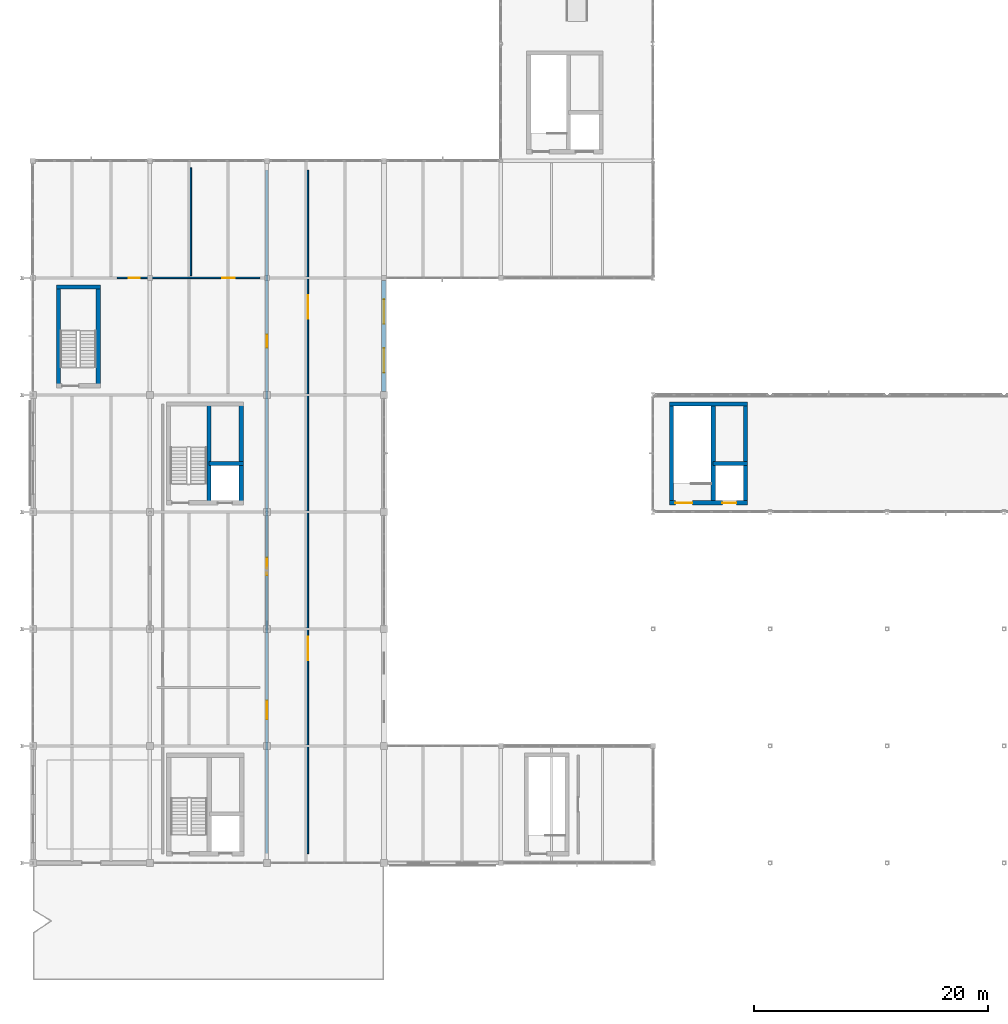
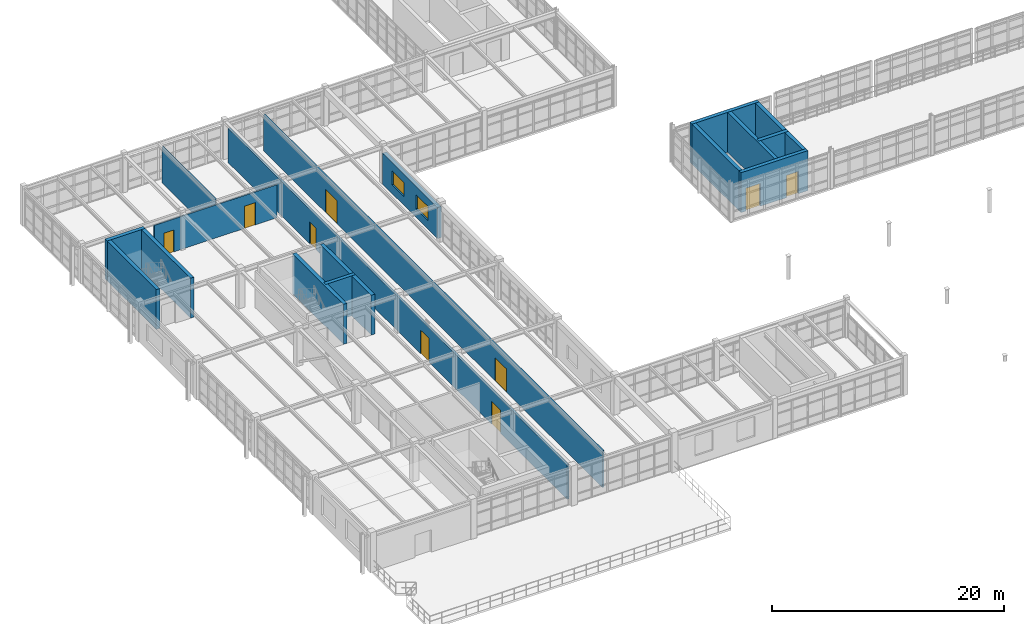
# One storey, part 106 of 122: 17 walls, 9 doors, 2 windows, 11 openings.
"""IFC4 building model written with IfcOpenShell, lengths in metres."""

from ifc_helpers import new_model, si_unit, direction, frame, frame_2d, origin, place, context, subcontext, project, spatial, rectangle, extrude, material, layer, layer_set, type_object, element, fill, save


model = new_model("IFC4")

# Units and contexts
model_context = context("Model", 3, precision=1e-05, world=origin(), true_north=direction((0.0, 1.0)))
body_context = subcontext(model_context, "Body", "Model", "MODEL_VIEW")
ifc_project = project(units=[si_unit("LENGTHUNIT", "METRE"), si_unit("AREAUNIT", "SQUARE_METRE"), si_unit("VOLUMEUNIT", "CUBIC_METRE"), si_unit("PLANEANGLEUNIT", "RADIAN"), si_unit("MASSUNIT", "GRAM", prefix="KILO"), si_unit("THERMODYNAMICTEMPERATUREUNIT", "KELVIN"), si_unit("POWERUNIT", "WATT")], contexts=[model_context])

# Site, building, storey
site_placement = place(None, origin())
site = spatial("IfcSite", under=ifc_project, at=site_placement, CompositionType="ELEMENT")
building_placement = place(site_placement, origin())
building = spatial("IfcBuilding", under=site, at=building_placement, Name="Korenveer Ferry Terminal", CompositionType="ELEMENT")
storey_placement = place(building_placement, frame((0.0, 0.0, 10.199951171875)))
storey = spatial("IfcBuildingStorey", under=building, at=storey_placement, Name="L02", CompositionType="ELEMENT", Elevation=10.199951171875)

# Wall, openings, windows
ifc_material_1 = material(Name="Insulated clinker brick masonry", Category="masonry")
ifc_layer_1 = layer(ifc_material_1, 0.3798828125)
ifc_layer_set_1 = layer_set([ifc_layer_1], Name="Insulated clinker brick masonry")
wall_type_1 = type_object("IfcWallType", Name="ENV-WL-BRK380", PredefinedType="SOLIDWALL", material=ifc_layer_set_1)
wall_1_placement = place(storey_placement, frame((30.0, 69.77490234375, 0.0), z_axis=(0.0, 0.0, 1.0), x_axis=(0.0, -1.0, 0.0)))
wall_1 = element("IfcWall", 1, at=wall_1_placement, inside=storey, type_object=wall_type_1, Name="Exterior facade wall EWL-L02-063", PredefinedType="SOLIDWALL", context=body_context, shape_type="SweptSolid", body=[
    extrude(rectangle(XDim=9.474853515625, YDim=0.3798828125, at=frame_2d((4.7373046875, 0.0))), origin(), (0.0, 0.0, 1.0), 3.27001953125),
])
opening_1_placement = place(wall_1_placement, frame((1.60302734375, 0.0, 0.89990234375)))
opening_1 = element("IfcOpeningElement", 2, at=opening_1_placement, cuts=wall_1, Name="Opening WN-23", PredefinedType="OPENING", context=body_context, shape_type="SweptSolid", body=[
    extrude(rectangle(XDim=2.10009765625, YDim=1.5, at=frame_2d((1.050048828125, 0.75))), frame((0.0, 0.199951171875, 0.0), z_axis=(0.0, -1.0, 0.0), x_axis=(1.0, 0.0, 0.0)), (0.0, 0.0, 1.0), 0.39990234375),
])
opening_2_placement = place(wall_1_placement, frame((5.77197265625, 0.0, 0.89990234375)))
opening_2 = element("IfcOpeningElement", 3, at=opening_2_placement, cuts=wall_1, Name="Opening WN-23", PredefinedType="OPENING", context=body_context, shape_type="SweptSolid", body=[
    extrude(rectangle(XDim=2.10009765625, YDim=1.5, at=frame_2d((1.050048828125, 0.75))), frame((0.0, 0.199951171875, 0.0), z_axis=(0.0, -1.0, 0.0), x_axis=(1.0, 0.0, 0.0)), (0.0, 0.0, 1.0), 0.39990234375),
])
ifc_material_2 = material(Name="Low-iron triple glazing in bronze frame", Category="glass")
window_type = type_object("IfcWindowType", Name="ENV-WN-23", PartitioningType="SINGLE_PANEL", PredefinedType="WINDOW", material=ifc_material_2)
window_1_placement = place(opening_1_placement, origin())
window_1 = element("IfcWindow", 4, at=window_1_placement, inside=storey, type_object=window_type, Name="Lancet facade window 73", OverallHeight=1.5, OverallWidth=2.10009765625, PartitioningType="SINGLE_PANEL", PredefinedType="WINDOW", context=body_context, shape_type="SweptSolid", body=[
    extrude(rectangle(XDim=2.10009765625, YDim=1.5, at=frame_2d((1.050048828125, 0.75))), frame((0.0, 0.030029296875, 0.0), z_axis=(0.0, -1.0, 0.0), x_axis=(1.0, 0.0, 0.0)), (0.0, 0.0, 1.0), 0.06005859375),
])
fill(opening_1, window_1)
window_2_placement = place(opening_2_placement, origin())
window_2 = element("IfcWindow", 5, at=window_2_placement, inside=storey, type_object=window_type, Name="Lancet facade window 74", OverallHeight=1.5, OverallWidth=2.10009765625, PartitioningType="SINGLE_PANEL", PredefinedType="WINDOW", context=body_context, shape_type="SweptSolid", body=[
    extrude(rectangle(XDim=2.10009765625, YDim=1.5, at=frame_2d((1.050048828125, 0.75))), frame((0.0, 0.030029296875, 0.0), z_axis=(0.0, -1.0, 0.0), x_axis=(1.0, 0.0, 0.0)), (0.0, 0.0, 1.0), 0.06005859375),
])
fill(opening_2, window_2)

# Wall, openings, doors
ifc_material_3 = material(Name="Acoustic fire-rated twin-stud partition", Category="other")
ifc_layer_2 = layer(ifc_material_3, 0.199951171875)
ifc_layer_set_2 = layer_set([ifc_layer_2], Name="Acoustic fire-rated twin-stud partition")
wall_type_2 = type_object("IfcWallType", Name="INT-WL-COMP200", PredefinedType="PARTITIONING", material=ifc_layer_set_2)
wall_2_placement = place(storey_placement, frame((20.0, 20.800048828125, 0.0), z_axis=(0.0, 0.0, 1.0), x_axis=(0.0, 1.0, 0.0)))
wall_2 = element("IfcWall", 6, at=wall_2_placement, inside=storey, type_object=wall_type_2, Name="Interior partition PWL-L02-035", PredefinedType="PARTITIONING", context=body_context, shape_type="SweptSolid", body=[
    extrude(rectangle(XDim=58.39990234375, YDim=0.199951171875, at=frame_2d((29.199951171875, 0.0))), origin(), (0.0, 0.0, 1.0), 3.630126953125),
])
opening_3_placement = place(wall_2_placement, frame((11.464111328125, 0.0, 0.0)))
opening_3 = element("IfcOpeningElement", 7, at=opening_3_placement, cuts=wall_2, Name="Opening ID-044", PredefinedType="OPENING", context=body_context, shape_type="SweptSolid", body=[
    extrude(rectangle(XDim=1.60009765625, YDim=2.39990234375, at=frame_2d((0.800048828125, 1.199951171875))), frame((0.0, 0.10986328125, 0.0), z_axis=(0.0, -1.0, 0.0), x_axis=(1.0, 0.0, 0.0)), (0.0, 0.0, 1.0), 0.219970703125),
])
opening_4_placement = place(wall_2_placement, frame((23.778076171875, 0.0, 0.0)))
opening_4 = element("IfcOpeningElement", 8, at=opening_4_placement, cuts=wall_2, Name="Opening ID-045", PredefinedType="OPENING", context=body_context, shape_type="SweptSolid", body=[
    extrude(rectangle(XDim=1.5, YDim=2.5, at=frame_2d((0.75, 1.25))), frame((0.0, 0.10986328125, 0.0), z_axis=(0.0, -1.0, 0.0), x_axis=(1.0, 0.0, 0.0)), (0.0, 0.0, 1.0), 0.219970703125),
])
opening_5_placement = place(wall_2_placement, frame((43.25, 0.0, 0.0)))
opening_5 = element("IfcOpeningElement", 9, at=opening_5_placement, cuts=wall_2, Name="Opening ID-046", PredefinedType="OPENING", context=body_context, shape_type="SweptSolid", body=[
    extrude(rectangle(XDim=1.10009765625, YDim=2.300048828125, at=frame_2d((0.550048828125, 1.14990234375))), frame((0.0, 0.10986328125, 0.0), z_axis=(0.0, -1.0, 0.0), x_axis=(1.0, 0.0, 0.0)), (0.0, 0.0, 1.0), 0.219970703125),
])
ifc_material_4 = material(Name="Solid hardwood and steel acoustic door", Category="steel")
door_type_1 = type_object("IfcDoorType", Name="INT-DR-FFL160", OperationType="DOUBLE_DOOR_SINGLE_SWING", PredefinedType="DOOR", material=ifc_material_4)
door_1_placement = place(opening_3_placement, origin())
door_1 = element("IfcDoor", 10, at=door_1_placement, inside=storey, type_object=door_type_1, Name="L02 West Firefighting Lobby Door", OperationType="DOUBLE_DOOR_SINGLE_SWING", OverallHeight=2.39990234375, OverallWidth=1.60009765625, PredefinedType="DOOR", context=body_context, shape_type="SweptSolid", body=[
    extrude(rectangle(XDim=1.60009765625, YDim=2.39990234375, at=frame_2d((0.800048828125, 1.199951171875))), frame((0.0, 0.02490234375, 0.0), z_axis=(0.0, -1.0, 0.0), x_axis=(1.0, 0.0, 0.0)), (0.0, 0.0, 1.0), 0.050048828125),
])
fill(opening_3, door_1)
door_type_2 = type_object("IfcDoorType", Name="INT-DR-RM110A", OperationType="NOTDEFINED", PredefinedType="DOOR", material=ifc_material_4)
door_2_placement = place(opening_5_placement, origin())
door_2 = element("IfcDoor", 11, at=door_2_placement, inside=storey, type_object=door_type_2, Name="Ferry Crew Mess Door", OperationType="SINGLE_SWING_RIGHT", OverallHeight=2.300048828125, OverallWidth=1.10009765625, PredefinedType="DOOR", context=body_context, shape_type="SweptSolid", body=[
    extrude(rectangle(XDim=1.10009765625, YDim=2.300048828125, at=frame_2d((0.550048828125, 1.14990234375))), frame((0.0, 0.02490234375, 0.0), z_axis=(0.0, -1.0, 0.0), x_axis=(1.0, 0.0, 0.0)), (0.0, 0.0, 1.0), 0.050048828125),
])
fill(opening_5, door_2)
door_type_3 = type_object("IfcDoorType", Name="INT-DR-VIP150", OperationType="DOUBLE_DOOR_SINGLE_SWING", PredefinedType="DOOR", material=ifc_material_4)
door_3_placement = place(opening_4_placement, origin())
door_3 = element("IfcDoor", 12, at=door_3_placement, inside=storey, type_object=door_type_3, Name="VIP Maritime Salon Entrance", OperationType="DOUBLE_DOOR_SINGLE_SWING", OverallHeight=2.5, OverallWidth=1.5, PredefinedType="DOOR", context=body_context, shape_type="SweptSolid", body=[
    extrude(rectangle(XDim=1.5, YDim=2.5, at=frame_2d((0.75, 1.25))), frame((0.0, 0.02490234375, 0.0), z_axis=(0.0, -1.0, 0.0), x_axis=(1.0, 0.0, 0.0)), (0.0, 0.0, 1.0), 0.050048828125),
])
fill(opening_4, door_3)

# Walls
ifc_material_5 = material(Name="Concrete C45/55", Category="concrete")
ifc_layer_3 = layer(ifc_material_5, 0.360107421875)
ifc_layer_set_3 = layer_set([ifc_layer_3], Name="Concrete C45/55")
wall_type_3 = type_object("IfcWallType", Name="INT-WL-CORE360", PredefinedType="SHEAR", material=ifc_layer_set_3)
for number, where, z_axis, x_axis, name in (
    (13, (17.800048828125, 50.60009765625, 0.0), (0.0, 0.0, 1.0), (0.0, 1.0, 0.0), "West Operations Core K2 east shear wall L02"),
    (14, (15.0400390625, 50.60009765625, 0.0), (0.0, 0.0, 1.0), (0.0, 1.0, 0.0), "West Operations Core K2 shaft divider wall L02"),
):
    element("IfcWall", number, at=place(storey_placement, frame(where, z_axis=z_axis, x_axis=x_axis)), inside=storey, type_object=wall_type_3, Name=name, PredefinedType="SHEAR", context=body_context, shape_type="SweptSolid", body=[
        extrude(rectangle(XDim=8.7998046875, YDim=0.360107421875, at=frame_2d((4.39990234375, 0.0))), origin(), (0.0, 0.0, 1.0), 4.199951171875),
    ])
wall_3_placement = place(storey_placement, frame((15.0400390625, 54.139892578125, 0.0), z_axis=(0.0, 0.0, 1.0), x_axis=(1.0, 0.0, 0.0)))
element("IfcWall", 15, at=wall_3_placement, inside=storey, type_object=wall_type_3, Name="West Operations Core K2 lift shaft wall L02", PredefinedType="SHEAR", context=body_context, shape_type="SweptSolid", body=[
    extrude(rectangle(XDim=2.93994140625, YDim=0.360107421875, at=frame_2d((1.469970703125, 0.0))), origin(), (0.0, 0.0, 1.0), 4.199951171875),
])

# Wall, openings, doors
wall_4_placement = place(storey_placement, frame((54.39990234375, 50.780029296875, 0.0), z_axis=(0.0, 0.0, 1.0), x_axis=(1.0, 0.0, 0.0)))
wall_4 = element("IfcWall", 16, at=wall_4_placement, inside=storey, type_object=wall_type_3, Name="Departure West Core K5 south shear wall L02", PredefinedType="SHEAR", context=body_context, shape_type="SweptSolid", body=[
    extrude(rectangle(XDim=6.68017578125, YDim=0.360107421875, at=frame_2d((3.340087890625, 0.0))), origin(), (0.0, 0.0, 1.0), 4.199951171875),
])
opening_6_placement = place(wall_4_placement, frame((0.510009765625, 0.0, 0.0)))
opening_6 = element("IfcOpeningElement", 17, at=opening_6_placement, cuts=wall_4, Name="Opening SD-19", PredefinedType="OPENING", context=body_context, shape_type="SweptSolid", body=[
    extrude(rectangle(XDim=1.449951171875, YDim=2.39990234375, at=frame_2d((0.72509765625, 1.199951171875))), frame((0.0, 0.18994140625, 0.0), z_axis=(0.0, -1.0, 0.0), x_axis=(1.0, 0.0, 0.0)), (0.0, 0.0, 1.0), 0.380126953125),
])
opening_7_placement = place(wall_4_placement, frame((4.52001953125, 0.0, 0.0)))
opening_7 = element("IfcOpeningElement", 18, at=opening_7_placement, cuts=wall_4, Name="Opening LD-19", PredefinedType="OPENING", context=body_context, shape_type="SweptSolid", body=[
    extrude(rectangle(XDim=1.199951171875, YDim=2.35009765625, at=frame_2d((0.60009765625, 1.175048828125))), frame((0.0, 0.18994140625, 0.0), z_axis=(0.0, -1.0, 0.0), x_axis=(1.0, 0.0, 0.0)), (0.0, 0.0, 1.0), 0.380126953125),
])
door_type_4 = type_object("IfcDoorType", Name="INT-DR-LD120", OperationType="SLIDING_TO_LEFT", PredefinedType="DOOR", material=ifc_material_4)
door_4_placement = place(opening_7_placement, origin())
door_4 = element("IfcDoor", 19, at=door_4_placement, inside=storey, type_object=door_type_4, Name="Lift LP3 Sliding Landing Door L02", OperationType="SLIDING_TO_LEFT", OverallHeight=2.35009765625, OverallWidth=1.199951171875, PredefinedType="DOOR", context=body_context, shape_type="SweptSolid", body=[
    extrude(rectangle(XDim=1.199951171875, YDim=2.35009765625, at=frame_2d((0.60009765625, 1.175048828125))), frame((0.0, 0.02490234375, 0.0), z_axis=(0.0, -1.0, 0.0), x_axis=(1.0, 0.0, 0.0)), (0.0, 0.0, 1.0), 0.050048828125),
])
fill(opening_7, door_4)
door_type_5 = type_object("IfcDoorType", Name="INT-DR-ST145", OperationType="NOTDEFINED", PredefinedType="DOOR", material=ifc_material_4)
door_5_placement = place(opening_6_placement, origin())
door_5 = element("IfcDoor", 20, at=door_5_placement, inside=storey, type_object=door_type_5, Name="ST05 Stair Door L02", OperationType="SINGLE_SWING_LEFT", OverallHeight=2.39990234375, OverallWidth=1.449951171875, PredefinedType="DOOR", context=body_context, shape_type="SweptSolid", body=[
    extrude(rectangle(XDim=1.449951171875, YDim=2.39990234375, at=frame_2d((0.72509765625, 1.199951171875))), frame((0.0, 0.02490234375, 0.0), z_axis=(0.0, -1.0, 0.0), x_axis=(1.0, 0.0, 0.0)), (0.0, 0.0, 1.0), 0.050048828125),
])
fill(opening_6, door_5)

# Walls
wall_5_placement = place(storey_placement, frame((54.39990234375, 59.219970703125, 0.0), z_axis=(0.0, 0.0, 1.0), x_axis=(1.0, 0.0, 0.0)))
element("IfcWall", 21, at=wall_5_placement, inside=storey, type_object=wall_type_3, Name="Departure West Core K5 north shear wall L02", PredefinedType="SHEAR", context=body_context, shape_type="SweptSolid", body=[
    extrude(rectangle(XDim=6.68017578125, YDim=0.360107421875, at=frame_2d((3.340087890625, 0.0))), origin(), (0.0, 0.0, 1.0), 4.199951171875),
])
for number, where, z_axis, x_axis, name in (
    (22, (54.580078125, 50.60009765625, 0.0), (0.0, 0.0, 1.0), (0.0, 1.0, 0.0), "Departure West Core K5 west shear wall L02"),
    (23, (60.89990234375, 50.60009765625, 0.0), (0.0, 0.0, 1.0), (0.0, 1.0, 0.0), "Departure West Core K5 east shear wall L02"),
    (24, (58.139892578125, 50.60009765625, 0.0), (0.0, 0.0, 1.0), (0.0, 1.0, 0.0), "Departure West Core K5 shaft divider wall L02"),
):
    element("IfcWall", number, at=place(storey_placement, frame(where, z_axis=z_axis, x_axis=x_axis)), inside=storey, type_object=wall_type_3, Name=name, PredefinedType="SHEAR", context=body_context, shape_type="SweptSolid", body=[
        extrude(rectangle(XDim=8.7998046875, YDim=0.360107421875, at=frame_2d((4.39990234375, 0.0))), origin(), (0.0, 0.0, 1.0), 4.199951171875),
    ])
wall_6_placement = place(storey_placement, frame((58.139892578125, 54.139892578125, 0.0), z_axis=(0.0, 0.0, 1.0), x_axis=(1.0, 0.0, 0.0)))
element("IfcWall", 25, at=wall_6_placement, inside=storey, type_object=wall_type_3, Name="Departure West Core K5 lift shaft wall L02", PredefinedType="SHEAR", context=body_context, shape_type="SweptSolid", body=[
    extrude(rectangle(XDim=2.940185546875, YDim=0.360107421875, at=frame_2d((1.47021484375, 0.0))), origin(), (0.0, 0.0, 1.0), 4.199951171875),
])
wall_7_placement = place(storey_placement, frame((2.0, 69.219970703125, 0.0), z_axis=(0.0, 0.0, 1.0), x_axis=(1.0, 0.0, 0.0)))
element("IfcWall", 26, at=wall_7_placement, inside=storey, type_object=wall_type_3, Name="Harbourmaster North Stair Core K11 north shear wall L02", PredefinedType="SHEAR", context=body_context, shape_type="SweptSolid", body=[
    extrude(rectangle(XDim=3.760009765625, YDim=0.360107421875, at=frame_2d((1.8798828125, 0.0))), origin(), (0.0, 0.0, 1.0), 4.199951171875),
])
for number, where, z_axis, x_axis, name in (
    (27, (2.179931640625, 60.60009765625, 0.0), (0.0, 0.0, 1.0), (0.0, 1.0, 0.0), "Harbourmaster North Stair Core K11 west shear wall L02"),
    (28, (5.580078125, 60.60009765625, 0.0), (0.0, 0.0, 1.0), (0.0, 1.0, 0.0), "Harbourmaster North Stair Core K11 east shear wall L02"),
):
    element("IfcWall", number, at=place(storey_placement, frame(where, z_axis=z_axis, x_axis=x_axis)), inside=storey, type_object=wall_type_3, Name=name, PredefinedType="SHEAR", context=body_context, shape_type="SweptSolid", body=[
        extrude(rectangle(XDim=8.7998046875, YDim=0.360107421875, at=frame_2d((4.39990234375, 0.0))), origin(), (0.0, 0.0, 1.0), 4.199951171875),
    ])

# Wall, openings, doors
ifc_material_6 = material(Name="Lightweight wet-room stud partition", Category="other")
ifc_layer_4 = layer(ifc_material_6, 0.1201171875)
ifc_layer_set_4 = layer_set([ifc_layer_4], Name="Lightweight wet-room stud partition")
wall_type_4 = type_object("IfcWallType", Name="INT-WL-PART120", PredefinedType="PARTITIONING", material=ifc_layer_set_4)
wall_8_placement = place(storey_placement, frame((7.199951171875, 70.0, 0.0), z_axis=(0.0, 0.0, 1.0), x_axis=(1.0, 0.0, 0.0)))
wall_8 = element("IfcWall", 29, at=wall_8_placement, inside=storey, type_object=wall_type_4, Name="Interior partition PWL-L02-039", PredefinedType="PARTITIONING", context=body_context, shape_type="SweptSolid", body=[
    extrude(rectangle(XDim=12.199951171875, YDim=0.1201171875, at=frame_2d((6.10009765625, 0.0))), origin(), (0.0, 0.0, 1.0), 3.469970703125),
])
opening_8_placement = place(wall_8_placement, frame((0.97412109375, 0.0, 0.0)))
opening_8 = element("IfcOpeningElement", 30, at=opening_8_placement, cuts=wall_8, Name="Opening ID-050", PredefinedType="OPENING", context=body_context, shape_type="SweptSolid", body=[
    extrude(rectangle(XDim=0.97998046875, YDim=2.300048828125, at=frame_2d((0.489990234375, 1.14990234375))), frame((0.0, 0.070068359375, 0.0), z_axis=(0.0, -1.0, 0.0), x_axis=(1.0, 0.0, 0.0)), (0.0, 0.0, 1.0), 0.14013671875),
])
opening_9_placement = place(wall_8_placement, frame((8.97607421875, 0.0, 0.0)))
opening_9 = element("IfcOpeningElement", 31, at=opening_9_placement, cuts=wall_8, Name="Opening ID-051", PredefinedType="OPENING", context=body_context, shape_type="SweptSolid", body=[
    extrude(rectangle(XDim=1.080078125, YDim=2.35009765625, at=frame_2d((0.5400390625, 1.175048828125))), frame((0.0, 0.070068359375, 0.0), z_axis=(0.0, -1.0, 0.0), x_axis=(1.0, 0.0, 0.0)), (0.0, 0.0, 1.0), 0.14013671875),
])
door_type_6 = type_object("IfcDoorType", Name="INT-DR-AWC108", OperationType="NOTDEFINED", PredefinedType="DOOR", material=ifc_material_4)
door_6_placement = place(opening_9_placement, origin())
door_6 = element("IfcDoor", 32, at=door_6_placement, inside=storey, type_object=door_type_6, Name="L02 West Accessible WC Door", OperationType="SINGLE_SWING_RIGHT", OverallHeight=2.35009765625, OverallWidth=1.080078125, PredefinedType="DOOR", context=body_context, shape_type="SweptSolid", body=[
    extrude(rectangle(XDim=1.080078125, YDim=2.35009765625, at=frame_2d((0.5400390625, 1.175048828125))), frame((0.0, 0.02490234375, 0.0), z_axis=(0.0, -1.0, 0.0), x_axis=(1.0, 0.0, 0.0)), (0.0, 0.0, 1.0), 0.050048828125),
])
fill(opening_9, door_6)
door_type_7 = type_object("IfcDoorType", Name="INT-DR-WC098", OperationType="NOTDEFINED", PredefinedType="DOOR", material=ifc_material_4)
door_7_placement = place(opening_8_placement, origin())
door_7 = element("IfcDoor", 33, at=door_7_placement, inside=storey, type_object=door_type_7, Name="L02 West Public WC Door", OperationType="SINGLE_SWING_LEFT", OverallHeight=2.300048828125, OverallWidth=0.97998046875, PredefinedType="DOOR", context=body_context, shape_type="SweptSolid", body=[
    extrude(rectangle(XDim=0.97998046875, YDim=2.300048828125, at=frame_2d((0.489990234375, 1.14990234375))), frame((0.0, 0.02490234375, 0.0), z_axis=(0.0, -1.0, 0.0), x_axis=(1.0, 0.0, 0.0)), (0.0, 0.0, 1.0), 0.050048828125),
])
fill(opening_8, door_7)

# Wall
wall_9_placement = place(storey_placement, frame((13.5, 70.199951171875, 0.0), z_axis=(0.0, 0.0, 1.0), x_axis=(0.0, 1.0, 0.0)))
element("IfcWall", 34, at=wall_9_placement, inside=storey, type_object=wall_type_4, Name="Interior partition PWL-L02-040", PredefinedType="PARTITIONING", context=body_context, shape_type="SweptSolid", body=[
    extrude(rectangle(XDim=9.199951171875, YDim=0.1201171875, at=frame_2d((4.60009765625, 0.0))), origin(), (0.0, 0.0, 1.0), 3.860107421875),
])

# Wall, openings, doors
ifc_material_7 = material(Name="Acoustic gypsum board stud partition", Category="other")
ifc_layer_5 = layer(ifc_material_7, 0.14990234375)
ifc_layer_set_5 = layer_set([ifc_layer_5], Name="Acoustic gypsum board stud partition")
wall_type_5 = type_object("IfcWallType", Name="INT-WL-PART150", PredefinedType="PARTITIONING", material=ifc_layer_set_5)
wall_10_placement = place(storey_placement, frame((23.5, 20.800048828125, 0.0), z_axis=(0.0, 0.0, 1.0), x_axis=(0.0, 1.0, 0.0)))
wall_10 = element("IfcWall", 35, at=wall_10_placement, inside=storey, type_object=wall_type_5, Name="Interior partition PWL-L02-036", PredefinedType="PARTITIONING", context=body_context, shape_type="SweptSolid", body=[
    extrude(rectangle(XDim=58.39990234375, YDim=0.14990234375, at=frame_2d((29.199951171875, 0.0))), origin(), (0.0, 0.0, 1.0), 3.860107421875),
])
opening_10_placement = place(wall_10_placement, frame((16.52001953125, 0.0, 0.0)))
opening_10 = element("IfcOpeningElement", 36, at=opening_10_placement, cuts=wall_10, Name="Opening ID-047", PredefinedType="OPENING", context=body_context, shape_type="SweptSolid", body=[
    extrude(rectangle(XDim=2.0, YDim=2.449951171875, at=frame_2d((1.0, 1.22509765625))), frame((0.0, 0.0849609375, 0.0), z_axis=(0.0, -1.0, 0.0), x_axis=(1.0, 0.0, 0.0)), (0.0, 0.0, 1.0), 0.169921875),
])
opening_11_placement = place(wall_10_placement, frame((45.719970703125, 0.0, 0.0)))
opening_11 = element("IfcOpeningElement", 37, at=opening_11_placement, cuts=wall_10, Name="Opening ID-048", PredefinedType="OPENING", context=body_context, shape_type="SweptSolid", body=[
    extrude(rectangle(XDim=2.0, YDim=2.449951171875, at=frame_2d((1.0, 1.22509765625))), frame((0.0, 0.0849609375, 0.0), z_axis=(0.0, -1.0, 0.0), x_axis=(1.0, 0.0, 0.0)), (0.0, 0.0, 1.0), 0.169921875),
])
door_type_8 = type_object("IfcDoorType", Name="INT-DR-CON200U", OperationType="DOUBLE_DOOR_SINGLE_SWING", PredefinedType="DOOR", material=ifc_material_4)
door_8_placement = place(opening_10_placement, origin())
door_8 = element("IfcDoor", 38, at=door_8_placement, inside=storey, type_object=door_type_8, Name="Maritime Heritage Reading Lounge Door", OperationType="DOUBLE_DOOR_SINGLE_SWING", OverallHeight=2.449951171875, OverallWidth=2.0, PredefinedType="DOOR", context=body_context, shape_type="SweptSolid", body=[
    extrude(rectangle(XDim=2.0, YDim=2.449951171875, at=frame_2d((1.0, 1.22509765625))), frame((0.0, 0.02490234375, 0.0), z_axis=(0.0, -1.0, 0.0), x_axis=(1.0, 0.0, 0.0)), (0.0, 0.0, 1.0), 0.050048828125),
])
fill(opening_10, door_8)
door_9_placement = place(opening_11_placement, origin())
door_9 = element("IfcDoor", 39, at=door_9_placement, inside=storey, type_object=door_type_8, Name="Port Passenger Business Lounge Door", OperationType="DOUBLE_DOOR_SINGLE_SWING", OverallHeight=2.449951171875, OverallWidth=2.0, PredefinedType="DOOR", context=body_context, shape_type="SweptSolid", body=[
    extrude(rectangle(XDim=2.0, YDim=2.449951171875, at=frame_2d((1.0, 1.22509765625))), frame((0.0, 0.02490234375, 0.0), z_axis=(0.0, -1.0, 0.0), x_axis=(1.0, 0.0, 0.0)), (0.0, 0.0, 1.0), 0.050048828125),
])
fill(opening_11, door_9)

save(model, "model.ifc")
